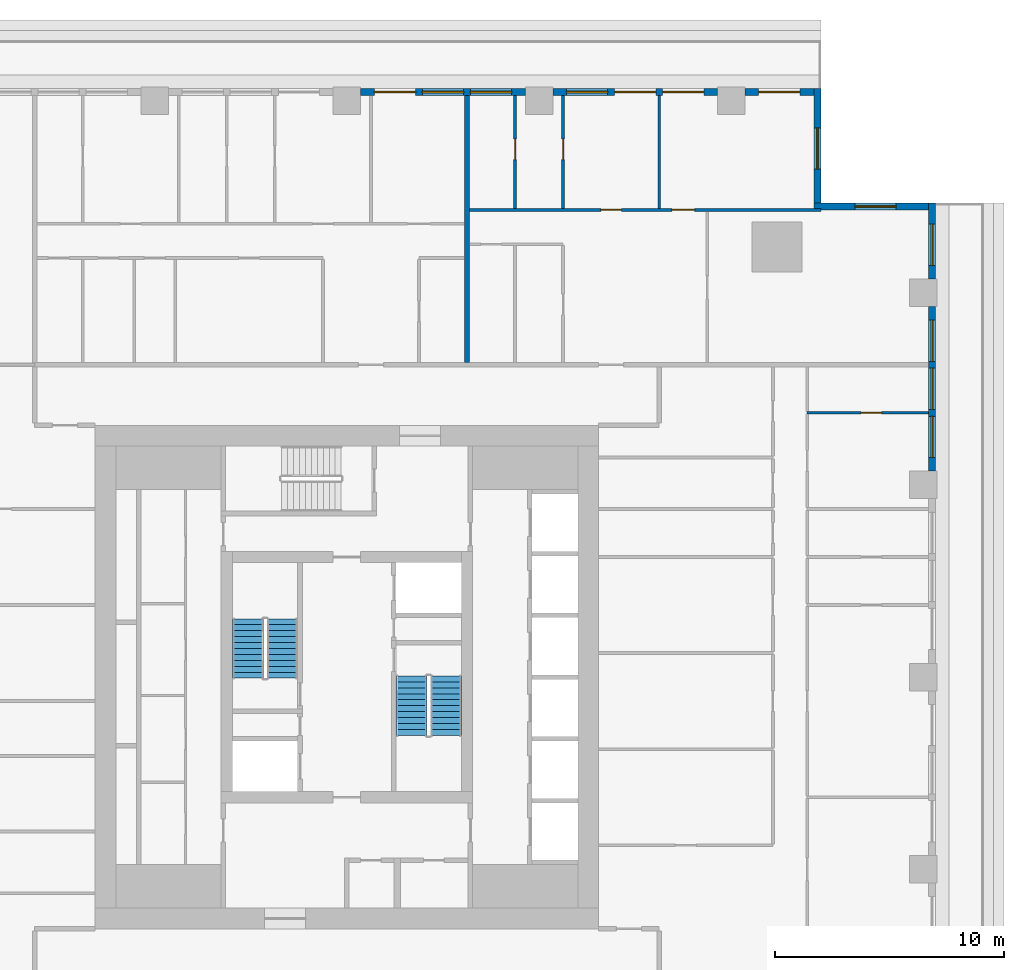
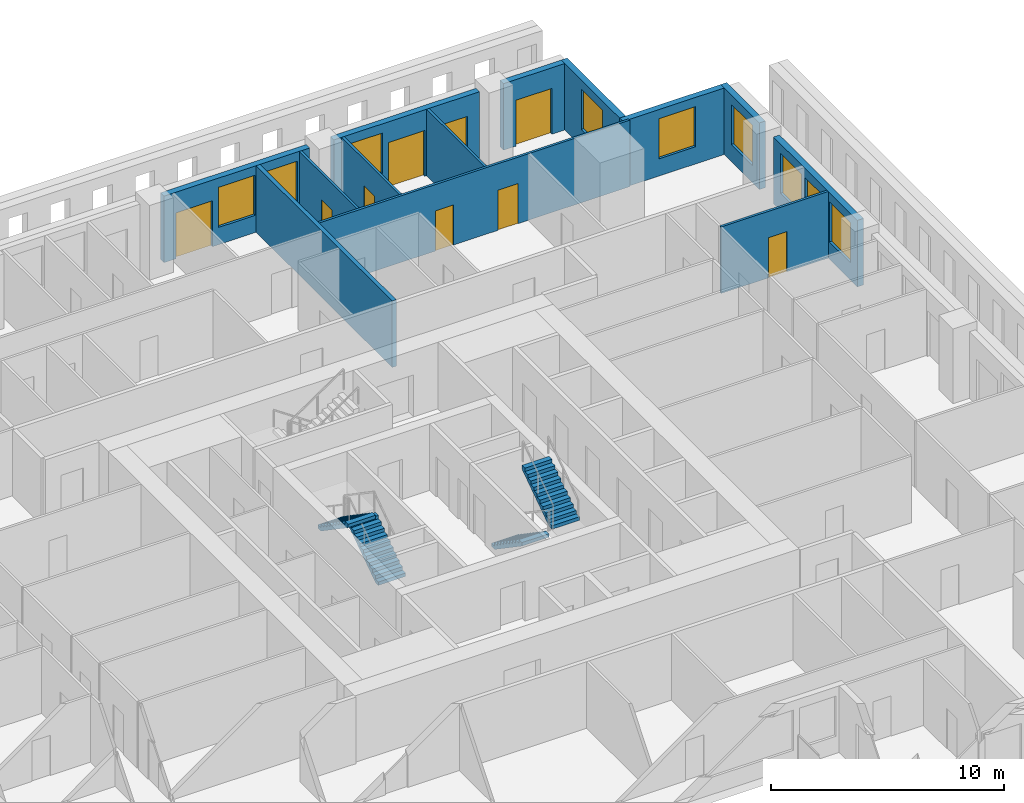
# One storey, part 9 of 15: 13 walls, 9 doors, 9 windows, 4 stair flights, 18 openings, 2 elements without a shape of their own.
"""IFC4 building model written with IfcOpenShell, lengths in metres."""

from ifc_helpers import new_model, si_unit, direction, frame, frame_2d, origin, place, context, subcontext, project, spatial, polyline, rectangle, outline, extrude, material, layer, layer_set, type_object, element, fill, aggregate, save


model = new_model("IFC4")

# Units and contexts
model_context = context("Model", 3, precision=1e-05, world=origin(), true_north=direction((0.0, 1.0)))
body_context = subcontext(model_context, "Body", "Model", "MODEL_VIEW")
ifc_project = project(units=[si_unit("LENGTHUNIT", "METRE"), si_unit("AREAUNIT", "SQUARE_METRE"), si_unit("VOLUMEUNIT", "CUBIC_METRE"), si_unit("PLANEANGLEUNIT", "RADIAN"), si_unit("MASSUNIT", "GRAM", prefix="KILO")], contexts=[model_context])

# Site, building, storey
site_placement = place(None, origin())
site = spatial("IfcSite", under=ifc_project, at=site_placement, CompositionType="ELEMENT")
building_placement = place(site_placement, origin())
building = spatial("IfcBuilding", under=site, at=building_placement, Name="Khepri Terraces", CompositionType="ELEMENT")
storey_placement = place(building_placement, frame((0.0, 0.0, 256.199951171875)))
storey = spatial("IfcBuildingStorey", under=building, at=storey_placement, Name="L61", CompositionType="ELEMENT", Elevation=256.199951171875)

# Wall
ifc_material_1 = material(Name="Fire-rated gypsum plasterboard partition, mineral wool")
ifc_layer_1 = layer(ifc_material_1, 0.199951171875, Name="Fire-rated gypsum plasterboard partition, mineral wool")
ifc_layer_set_1 = layer_set([ifc_layer_1], Name="Fire-rated gypsum plasterboard partition, mineral wool")
wall_type_1 = type_object("IfcWallType", Name="WL-CORR-200", PredefinedType="PARTITIONING", material=ifc_layer_set_1)
wall_1_placement = place(storey_placement, frame((5.25, 13.75, 0.0), z_axis=(0.0, 0.0, 1.0), x_axis=(0.0, 1.0, 0.0)))
element("IfcWall", 1, at=wall_1_placement, inside=storey, type_object=wall_type_1, Name="Partition P-088 L61", PredefinedType="PARTITIONING", context=body_context, shape_type="SweptSolid", body=[
    extrude(rectangle(XDim=11.669921875, YDim=0.199951171875, at=frame_2d((5.8349609375, 0.0))), origin(), (0.0, 0.0, 1.0), 3.47998046875),
])

# Wall, openings, windows
ifc_material_2 = material(Name="Precast concrete C50/60 warm stone", Category="masonry")
ifc_layer_2 = layer(ifc_material_2, 0.300048828125, Name="Precast concrete C50/60 warm stone", Category="masonry")
ifc_layer_set_2 = layer_set([ifc_layer_2], Name="Precast concrete C50/60 warm stone")
wall_type_2 = type_object("IfcWallType", Name="WL-EXT-PRECAST-300", PredefinedType="STANDARD", material=ifc_layer_set_2)
wall_2_placement = place(storey_placement, frame((25.570068359375, 9.0, 0.0), z_axis=(0.0, 0.0, 1.0), x_axis=(0.0, 1.0, 0.0)))
wall_2 = element("IfcWall", 2, at=wall_2_placement, inside=storey, type_object=wall_type_2, Name="External wall L61 E", PredefinedType="STANDARD", context=body_context, shape_type="SweptSolid", body=[
    extrude(rectangle(XDim=7.199951171875, YDim=0.300048828125, at=frame_2d((3.60009765625, 0.0))), origin(), (0.0, 0.0, 1.0), 3.47998046875),
])
opening_1_placement = place(wall_2_placement, frame((0.60009765625, 0.0, 0.89990234375)))
opening_1 = element("IfcOpeningElement", 3, at=opening_1_placement, cuts=wall_2, Name="Opening W1", PredefinedType="OPENING", context=body_context, shape_type="SweptSolid", body=[
    extrude(rectangle(XDim=1.800048828125, YDim=2.10009765625, at=frame_2d((0.89990234375, 1.050048828125))), frame((0.0, 0.16015625, 0.0), z_axis=(0.0, -1.0, 0.0), x_axis=(1.0, 0.0, 0.0)), (0.0, 0.0, 1.0), 0.320068359375),
])
opening_2_placement = place(wall_2_placement, frame((2.699951171875, 0.0, 0.89990234375)))
opening_2 = element("IfcOpeningElement", 4, at=opening_2_placement, cuts=wall_2, Name="Opening W1", PredefinedType="OPENING", context=body_context, shape_type="SweptSolid", body=[
    extrude(rectangle(XDim=1.800048828125, YDim=2.10009765625, at=frame_2d((0.89990234375, 1.050048828125))), frame((0.0, 0.16015625, 0.0), z_axis=(0.0, -1.0, 0.0), x_axis=(1.0, 0.0, 0.0)), (0.0, 0.0, 1.0), 0.320068359375),
])
opening_3_placement = place(wall_2_placement, frame((4.800048828125, 0.0, 0.89990234375)))
opening_3 = element("IfcOpeningElement", 5, at=opening_3_placement, cuts=wall_2, Name="Opening W1", PredefinedType="OPENING", context=body_context, shape_type="SweptSolid", body=[
    extrude(rectangle(XDim=1.800048828125, YDim=2.10009765625, at=frame_2d((0.89990234375, 1.050048828125))), frame((0.0, 0.16015625, 0.0), z_axis=(0.0, -1.0, 0.0), x_axis=(1.0, 0.0, 0.0)), (0.0, 0.0, 1.0), 0.320068359375),
])
ifc_material_3 = material(Name="Clear glass", Category="glass")
window_type = type_object("IfcWindowType", Name="WIN-RES-1800x2100", PartitioningType="SINGLE_PANEL", PredefinedType="WINDOW", material=ifc_material_3)
window_1_placement = place(opening_1_placement, origin())
window_1 = element("IfcWindow", 6, at=window_1_placement, inside=storey, type_object=window_type, Name="Window L61 E", OverallHeight=2.10009765625, OverallWidth=1.800048828125, PartitioningType="SINGLE_PANEL", PredefinedType="WINDOW", context=body_context, shape_type="SweptSolid", body=[
    extrude(rectangle(XDim=1.800048828125, YDim=2.10009765625, at=frame_2d((0.89990234375, 1.050048828125))), frame((0.0, 0.030029296875, 0.0), z_axis=(0.0, -1.0, 0.0), x_axis=(1.0, 0.0, 0.0)), (0.0, 0.0, 1.0), 0.06005859375),
])
fill(opening_1, window_1)
window_2_placement = place(opening_2_placement, origin())
window_2 = element("IfcWindow", 7, at=window_2_placement, inside=storey, type_object=window_type, Name="Window L61 E", OverallHeight=2.10009765625, OverallWidth=1.800048828125, PartitioningType="SINGLE_PANEL", PredefinedType="WINDOW", context=body_context, shape_type="SweptSolid", body=[
    extrude(rectangle(XDim=1.800048828125, YDim=2.10009765625, at=frame_2d((0.89990234375, 1.050048828125))), frame((0.0, 0.030029296875, 0.0), z_axis=(0.0, -1.0, 0.0), x_axis=(1.0, 0.0, 0.0)), (0.0, 0.0, 1.0), 0.06005859375),
])
fill(opening_2, window_2)
window_3_placement = place(opening_3_placement, origin())
window_3 = element("IfcWindow", 8, at=window_3_placement, inside=storey, type_object=window_type, Name="Window L61 E", OverallHeight=2.10009765625, OverallWidth=1.800048828125, PartitioningType="SINGLE_PANEL", PredefinedType="WINDOW", context=body_context, shape_type="SweptSolid", body=[
    extrude(rectangle(XDim=1.800048828125, YDim=2.10009765625, at=frame_2d((0.89990234375, 1.050048828125))), frame((0.0, 0.030029296875, 0.0), z_axis=(0.0, -1.0, 0.0), x_axis=(1.0, 0.0, 0.0)), (0.0, 0.0, 1.0), 0.06005859375),
])
fill(opening_3, window_3)

# Wall, opening, window
wall_3_placement = place(storey_placement, frame((25.570068359375, 17.39990234375, 0.0), z_axis=(0.0, 0.0, 1.0), x_axis=(0.0, 1.0, 0.0)))
wall_3 = element("IfcWall", 9, at=wall_3_placement, inside=storey, type_object=wall_type_2, Name="External wall L61 E", PredefinedType="STANDARD", context=body_context, shape_type="SweptSolid", body=[
    extrude(rectangle(XDim=3.320068359375, YDim=0.300048828125, at=frame_2d((1.66015625, 0.0))), origin(), (0.0, 0.0, 1.0), 3.47998046875),
])
opening_4_placement = place(wall_3_placement, frame((0.60009765625, 0.0, 0.89990234375)))
opening_4 = element("IfcOpeningElement", 10, at=opening_4_placement, cuts=wall_3, Name="Opening W1", PredefinedType="OPENING", context=body_context, shape_type="SweptSolid", body=[
    extrude(rectangle(XDim=1.800048828125, YDim=2.10009765625, at=frame_2d((0.89990234375, 1.050048828125))), frame((0.0, 0.16015625, 0.0), z_axis=(0.0, -1.0, 0.0), x_axis=(1.0, 0.0, 0.0)), (0.0, 0.0, 1.0), 0.320068359375),
])
window_4_placement = place(opening_4_placement, origin())
window_4 = element("IfcWindow", 11, at=window_4_placement, inside=storey, type_object=window_type, Name="Window L61 E", OverallHeight=2.10009765625, OverallWidth=1.800048828125, PartitioningType="SINGLE_PANEL", PredefinedType="WINDOW", context=body_context, shape_type="SweptSolid", body=[
    extrude(rectangle(XDim=1.800048828125, YDim=2.10009765625, at=frame_2d((0.89990234375, 1.050048828125))), frame((0.0, 0.030029296875, 0.0), z_axis=(0.0, -1.0, 0.0), x_axis=(1.0, 0.0, 0.0)), (0.0, 0.0, 1.0), 0.06005859375),
])
fill(opening_4, window_4)

wall_4_placement = place(storey_placement, frame((25.419921875, 20.570068359375, 0.0), z_axis=(0.0, 0.0, 1.0), x_axis=(-1.0, 0.0, 0.0)))
wall_4 = element("IfcWall", 12, at=wall_4_placement, inside=storey, type_object=wall_type_2, Name="External wall L61 N", PredefinedType="STANDARD", context=body_context, shape_type="SweptSolid", body=[
    extrude(rectangle(XDim=5.0, YDim=0.300048828125, at=frame_2d((2.5, 0.0))), origin(), (0.0, 0.0, 1.0), 3.47998046875),
])
opening_5_placement = place(wall_4_placement, frame((1.419921875, 0.0, 0.89990234375)))
opening_5 = element("IfcOpeningElement", 13, at=opening_5_placement, cuts=wall_4, Name="Opening W1", PredefinedType="OPENING", context=body_context, shape_type="SweptSolid", body=[
    extrude(rectangle(XDim=1.800048828125, YDim=2.10009765625, at=frame_2d((0.89990234375, 1.050048828125))), frame((0.0, 0.16015625, 0.0), z_axis=(0.0, -1.0, 0.0), x_axis=(1.0, 0.0, 0.0)), (0.0, 0.0, 1.0), 0.320068359375),
])
window_5_placement = place(opening_5_placement, origin())
window_5 = element("IfcWindow", 14, at=window_5_placement, inside=storey, type_object=window_type, Name="Window L61 N", OverallHeight=2.10009765625, OverallWidth=1.800048828125, PartitioningType="SINGLE_PANEL", PredefinedType="WINDOW", context=body_context, shape_type="SweptSolid", body=[
    extrude(rectangle(XDim=1.800048828125, YDim=2.10009765625, at=frame_2d((0.89990234375, 1.050048828125))), frame((0.0, 0.030029296875, 0.0), z_axis=(0.0, -1.0, 0.0), x_axis=(1.0, 0.0, 0.0)), (0.0, 0.0, 1.0), 0.06005859375),
])
fill(opening_5, window_5)

wall_5_placement = place(storey_placement, frame((20.570068359375, 20.719970703125, 0.0), z_axis=(0.0, 0.0, 1.0), x_axis=(0.0, 1.0, 0.0)))
wall_5 = element("IfcWall", 15, at=wall_5_placement, inside=storey, type_object=wall_type_2, Name="External wall L61 E", PredefinedType="STANDARD", context=body_context, shape_type="SweptSolid", body=[
    extrude(rectangle(XDim=5.0, YDim=0.300048828125, at=frame_2d((2.5, 0.0))), origin(), (0.0, 0.0, 1.0), 3.47998046875),
])
opening_6_placement = place(wall_5_placement, frame((1.47998046875, 0.0, 0.89990234375)))
opening_6 = element("IfcOpeningElement", 16, at=opening_6_placement, cuts=wall_5, Name="Opening W1", PredefinedType="OPENING", context=body_context, shape_type="SweptSolid", body=[
    extrude(rectangle(XDim=1.800048828125, YDim=2.10009765625, at=frame_2d((0.89990234375, 1.050048828125))), frame((0.0, 0.16015625, 0.0), z_axis=(0.0, -1.0, 0.0), x_axis=(1.0, 0.0, 0.0)), (0.0, 0.0, 1.0), 0.320068359375),
])
window_6_placement = place(opening_6_placement, origin())
window_6 = element("IfcWindow", 17, at=window_6_placement, inside=storey, type_object=window_type, Name="Window L61 E", OverallHeight=2.10009765625, OverallWidth=1.800048828125, PartitioningType="SINGLE_PANEL", PredefinedType="WINDOW", context=body_context, shape_type="SweptSolid", body=[
    extrude(rectangle(XDim=1.800048828125, YDim=2.10009765625, at=frame_2d((0.89990234375, 1.050048828125))), frame((0.0, 0.030029296875, 0.0), z_axis=(0.0, -1.0, 0.0), x_axis=(1.0, 0.0, 0.0)), (0.0, 0.0, 1.0), 0.06005859375),
])
fill(opening_6, window_6)

# Wall, opening, door
wall_6_placement = place(storey_placement, frame((20.419921875, 25.570068359375, 0.0), z_axis=(0.0, 0.0, 1.0), x_axis=(-1.0, 0.0, 0.0)))
wall_6 = element("IfcWall", 18, at=wall_6_placement, inside=storey, type_object=wall_type_2, Name="External wall L61 N", PredefinedType="STANDARD", context=body_context, shape_type="SweptSolid", body=[
    extrude(rectangle(XDim=3.02001953125, YDim=0.300048828125, at=frame_2d((1.510009765625, 0.0))), origin(), (0.0, 0.0, 1.0), 3.47998046875),
])
opening_7_placement = place(wall_6_placement, frame((0.6201171875, 0.0, 0.0)))
opening_7 = element("IfcOpeningElement", 19, at=opening_7_placement, cuts=wall_6, Name="Opening ED-L61-07", PredefinedType="OPENING", context=body_context, shape_type="SweptSolid", body=[
    extrude(rectangle(XDim=1.800048828125, YDim=2.39990234375, at=frame_2d((0.89990234375, 1.199951171875))), frame((0.0, 0.16015625, 0.0), z_axis=(0.0, -1.0, 0.0), x_axis=(1.0, 0.0, 0.0)), (0.0, 0.0, 1.0), 0.320068359375),
])
ifc_material_4 = material(Name="Anodised aluminium bronze glazed door", Category="aluminium")
door_type_1 = type_object("IfcDoorType", Name="DR-BAL-SLIDE-1800x2400", OperationType="NOTDEFINED", PredefinedType="DOOR", material=ifc_material_4)
door_1_placement = place(opening_7_placement, origin())
door_1 = element("IfcDoor", 20, at=door_1_placement, inside=storey, type_object=door_type_1, Name="Balcony door L61 N", OperationType="SLIDING_TO_RIGHT", OverallHeight=2.39990234375, OverallWidth=1.800048828125, PredefinedType="DOOR", context=body_context, shape_type="SweptSolid", body=[
    extrude(rectangle(XDim=1.800048828125, YDim=2.39990234375, at=frame_2d((0.89990234375, 1.199951171875))), frame((0.0, 0.02490234375, 0.0), z_axis=(0.0, -1.0, 0.0), x_axis=(1.0, 0.0, 0.0)), (0.0, 0.0, 1.0), 0.050048828125),
])
fill(opening_7, door_1)

# Wall, openings, doors, window
wall_7_placement = place(storey_placement, frame((16.199951171875, 25.570068359375, 0.0), z_axis=(0.0, 0.0, 1.0), x_axis=(-1.0, 0.0, 0.0)))
wall_7 = element("IfcWall", 21, at=wall_7_placement, inside=storey, type_object=wall_type_2, Name="External wall L61 N", PredefinedType="STANDARD", context=body_context, shape_type="SweptSolid", body=[
    extrude(rectangle(XDim=7.199951171875, YDim=0.300048828125, at=frame_2d((3.60009765625, 0.0))), origin(), (0.0, 0.0, 1.0), 3.47998046875),
])
opening_8_placement = place(wall_7_placement, frame((0.60009765625, 0.0, 0.0)))
opening_8 = element("IfcOpeningElement", 22, at=opening_8_placement, cuts=wall_7, Name="Opening ED-L61-08", PredefinedType="OPENING", context=body_context, shape_type="SweptSolid", body=[
    extrude(rectangle(XDim=1.800048828125, YDim=2.39990234375, at=frame_2d((0.89990234375, 1.199951171875))), frame((0.0, 0.16015625, 0.0), z_axis=(0.0, -1.0, 0.0), x_axis=(1.0, 0.0, 0.0)), (0.0, 0.0, 1.0), 0.320068359375),
])
opening_9_placement = place(wall_7_placement, frame((2.699951171875, 0.0, 0.0)))
opening_9 = element("IfcOpeningElement", 23, at=opening_9_placement, cuts=wall_7, Name="Opening ED-L61-09", PredefinedType="OPENING", context=body_context, shape_type="SweptSolid", body=[
    extrude(rectangle(XDim=1.800048828125, YDim=2.39990234375, at=frame_2d((0.89990234375, 1.199951171875))), frame((0.0, 0.16015625, 0.0), z_axis=(0.0, -1.0, 0.0), x_axis=(1.0, 0.0, 0.0)), (0.0, 0.0, 1.0), 0.320068359375),
])
opening_10_placement = place(wall_7_placement, frame((4.800048828125, 0.0, 0.89990234375)))
opening_10 = element("IfcOpeningElement", 24, at=opening_10_placement, cuts=wall_7, Name="Opening W1", PredefinedType="OPENING", context=body_context, shape_type="SweptSolid", body=[
    extrude(rectangle(XDim=1.800048828125, YDim=2.10009765625, at=frame_2d((0.89990234375, 1.050048828125))), frame((0.0, 0.16015625, 0.0), z_axis=(0.0, -1.0, 0.0), x_axis=(1.0, 0.0, 0.0)), (0.0, 0.0, 1.0), 0.320068359375),
])
door_2_placement = place(opening_8_placement, origin())
door_2 = element("IfcDoor", 25, at=door_2_placement, inside=storey, type_object=door_type_1, Name="Balcony door L61 N", OperationType="SLIDING_TO_LEFT", OverallHeight=2.39990234375, OverallWidth=1.800048828125, PredefinedType="DOOR", context=body_context, shape_type="SweptSolid", body=[
    extrude(rectangle(XDim=1.800048828125, YDim=2.39990234375, at=frame_2d((0.89990234375, 1.199951171875))), frame((0.0, 0.02490234375, 0.0), z_axis=(0.0, -1.0, 0.0), x_axis=(1.0, 0.0, 0.0)), (0.0, 0.0, 1.0), 0.050048828125),
])
fill(opening_8, door_2)
door_3_placement = place(opening_9_placement, origin())
door_3 = element("IfcDoor", 26, at=door_3_placement, inside=storey, type_object=door_type_1, Name="Balcony door L61 N", OperationType="SLIDING_TO_RIGHT", OverallHeight=2.39990234375, OverallWidth=1.800048828125, PredefinedType="DOOR", context=body_context, shape_type="SweptSolid", body=[
    extrude(rectangle(XDim=1.800048828125, YDim=2.39990234375, at=frame_2d((0.89990234375, 1.199951171875))), frame((0.0, 0.02490234375, 0.0), z_axis=(0.0, -1.0, 0.0), x_axis=(1.0, 0.0, 0.0)), (0.0, 0.0, 1.0), 0.050048828125),
])
fill(opening_9, door_3)
window_7_placement = place(opening_10_placement, origin())
window_7 = element("IfcWindow", 27, at=window_7_placement, inside=storey, type_object=window_type, Name="Window L61 N", OverallHeight=2.10009765625, OverallWidth=1.800048828125, PartitioningType="SINGLE_PANEL", PredefinedType="WINDOW", context=body_context, shape_type="SweptSolid", body=[
    extrude(rectangle(XDim=1.800048828125, YDim=2.10009765625, at=frame_2d((0.89990234375, 1.050048828125))), frame((0.0, 0.030029296875, 0.0), z_axis=(0.0, -1.0, 0.0), x_axis=(1.0, 0.0, 0.0)), (0.0, 0.0, 1.0), 0.06005859375),
])
fill(opening_10, window_7)

# Wall, openings, door, windows
wall_8_placement = place(storey_placement, frame((7.800048828125, 25.570068359375, 0.0), z_axis=(0.0, 0.0, 1.0), x_axis=(-1.0, 0.0, 0.0)))
wall_8 = element("IfcWall", 28, at=wall_8_placement, inside=storey, type_object=wall_type_2, Name="External wall L61 N", PredefinedType="STANDARD", context=body_context, shape_type="SweptSolid", body=[
    extrude(rectangle(XDim=7.199951171875, YDim=0.300048828125, at=frame_2d((3.60009765625, 0.0))), origin(), (0.0, 0.0, 1.0), 3.47998046875),
])
opening_11_placement = place(wall_8_placement, frame((0.60009765625, 0.0, 0.89990234375)))
opening_11 = element("IfcOpeningElement", 29, at=opening_11_placement, cuts=wall_8, Name="Opening W1", PredefinedType="OPENING", context=body_context, shape_type="SweptSolid", body=[
    extrude(rectangle(XDim=1.800048828125, YDim=2.10009765625, at=frame_2d((0.89990234375, 1.050048828125))), frame((0.0, 0.16015625, 0.0), z_axis=(0.0, -1.0, 0.0), x_axis=(1.0, 0.0, 0.0)), (0.0, 0.0, 1.0), 0.320068359375),
])
opening_12_placement = place(wall_8_placement, frame((2.699951171875, 0.0, 0.89990234375)))
opening_12 = element("IfcOpeningElement", 30, at=opening_12_placement, cuts=wall_8, Name="Opening W1", PredefinedType="OPENING", context=body_context, shape_type="SweptSolid", body=[
    extrude(rectangle(XDim=1.800048828125, YDim=2.10009765625, at=frame_2d((0.89990234375, 1.050048828125))), frame((0.0, 0.16015625, 0.0), z_axis=(0.0, -1.0, 0.0), x_axis=(1.0, 0.0, 0.0)), (0.0, 0.0, 1.0), 0.320068359375),
])
opening_13_placement = place(wall_8_placement, frame((4.800048828125, 0.0, 0.0)))
opening_13 = element("IfcOpeningElement", 31, at=opening_13_placement, cuts=wall_8, Name="Opening ED-L61-10", PredefinedType="OPENING", context=body_context, shape_type="SweptSolid", body=[
    extrude(rectangle(XDim=1.800048828125, YDim=2.39990234375, at=frame_2d((0.89990234375, 1.199951171875))), frame((0.0, 0.16015625, 0.0), z_axis=(0.0, -1.0, 0.0), x_axis=(1.0, 0.0, 0.0)), (0.0, 0.0, 1.0), 0.320068359375),
])
door_4_placement = place(opening_13_placement, origin())
door_4 = element("IfcDoor", 32, at=door_4_placement, inside=storey, type_object=door_type_1, Name="Balcony door L61 N", OperationType="SLIDING_TO_RIGHT", OverallHeight=2.39990234375, OverallWidth=1.800048828125, PredefinedType="DOOR", context=body_context, shape_type="SweptSolid", body=[
    extrude(rectangle(XDim=1.800048828125, YDim=2.39990234375, at=frame_2d((0.89990234375, 1.199951171875))), frame((0.0, 0.02490234375, 0.0), z_axis=(0.0, -1.0, 0.0), x_axis=(1.0, 0.0, 0.0)), (0.0, 0.0, 1.0), 0.050048828125),
])
fill(opening_13, door_4)
window_8_placement = place(opening_11_placement, origin())
window_8 = element("IfcWindow", 33, at=window_8_placement, inside=storey, type_object=window_type, Name="Window L61 N", OverallHeight=2.10009765625, OverallWidth=1.800048828125, PartitioningType="SINGLE_PANEL", PredefinedType="WINDOW", context=body_context, shape_type="SweptSolid", body=[
    extrude(rectangle(XDim=1.800048828125, YDim=2.10009765625, at=frame_2d((0.89990234375, 1.050048828125))), frame((0.0, 0.030029296875, 0.0), z_axis=(0.0, -1.0, 0.0), x_axis=(1.0, 0.0, 0.0)), (0.0, 0.0, 1.0), 0.06005859375),
])
fill(opening_11, window_8)
window_9_placement = place(opening_12_placement, origin())
window_9 = element("IfcWindow", 34, at=window_9_placement, inside=storey, type_object=window_type, Name="Window L61 N", OverallHeight=2.10009765625, OverallWidth=1.800048828125, PartitioningType="SINGLE_PANEL", PredefinedType="WINDOW", context=body_context, shape_type="SweptSolid", body=[
    extrude(rectangle(XDim=1.800048828125, YDim=2.10009765625, at=frame_2d((0.89990234375, 1.050048828125))), frame((0.0, 0.030029296875, 0.0), z_axis=(0.0, -1.0, 0.0), x_axis=(1.0, 0.0, 0.0)), (0.0, 0.0, 1.0), 0.06005859375),
])
fill(opening_12, window_9)

# Wall, opening, door
ifc_material_5 = material(Name="Gypsum plasterboard partition")
ifc_layer_3 = layer(ifc_material_5, 0.1201171875, Name="Gypsum plasterboard partition")
ifc_layer_set_3 = layer_set([ifc_layer_3], Name="Gypsum plasterboard partition")
wall_type_3 = type_object("IfcWallType", Name="WL-PART-120", PredefinedType="PARTITIONING", material=ifc_layer_set_3)
wall_9_placement = place(storey_placement, frame((20.1201171875, 11.550048828125, 0.0), z_axis=(0.0, 0.0, 1.0), x_axis=(1.0, 0.0, 0.0)))
wall_9 = element("IfcWall", 35, at=wall_9_placement, inside=storey, type_object=wall_type_3, Name="Partition P-076 L61", PredefinedType="PARTITIONING", context=body_context, shape_type="SweptSolid", body=[
    extrude(rectangle(XDim=5.2998046875, YDim=0.1201171875, at=frame_2d((2.64990234375, 0.0))), origin(), (0.0, 0.0, 1.0), 3.47998046875),
])
opening_14_placement = place(wall_9_placement, frame((2.35009765625, 0.0, 0.0)))
opening_14 = element("IfcOpeningElement", 36, at=opening_14_placement, cuts=wall_9, Name="Opening D4", PredefinedType="OPENING", context=body_context, shape_type="SweptSolid", body=[
    extrude(rectangle(XDim=0.89990234375, YDim=2.10009765625, at=frame_2d((0.449951171875, 1.050048828125))), frame((0.0, 0.070068359375, 0.0), z_axis=(0.0, -1.0, 0.0), x_axis=(1.0, 0.0, 0.0)), (0.0, 0.0, 1.0), 0.14013671875),
])
ifc_material_6 = material(Name="Timber door leaf, moisture resistant", Category="wood")
door_type_2 = type_object("IfcDoorType", Name="DR-WET-900", OperationType="NOTDEFINED", PredefinedType="DOOR", material=ifc_material_6)
door_5_placement = place(opening_14_placement, origin())
door_5 = element("IfcDoor", 37, at=door_5_placement, inside=storey, type_object=door_type_2, Name="Door Bathroom", OperationType="SINGLE_SWING_RIGHT", OverallHeight=2.10009765625, OverallWidth=0.89990234375, PredefinedType="DOOR", context=body_context, shape_type="SweptSolid", body=[
    extrude(rectangle(XDim=0.89990234375, YDim=2.10009765625, at=frame_2d((0.449951171875, 1.050048828125))), frame((0.0, 0.02490234375, 0.0), z_axis=(0.0, -1.0, 0.0), x_axis=(1.0, 0.0, 0.0)), (0.0, 0.0, 1.0), 0.050048828125),
])
fill(opening_14, door_5)

# Wall, openings, doors
wall_10_placement = place(storey_placement, frame((5.35009765625, 20.419921875, 0.0), z_axis=(0.0, 0.0, 1.0), x_axis=(1.0, 0.0, 0.0)))
wall_10 = element("IfcWall", 38, at=wall_10_placement, inside=storey, type_object=wall_type_3, Name="Partition P-101 L61", PredefinedType="PARTITIONING", context=body_context, shape_type="SweptSolid", body=[
    extrude(rectangle(XDim=15.368896484375, YDim=0.1201171875, at=frame_2d((7.6845703125, 0.0))), origin(), (0.0, 0.0, 1.0), 3.47998046875),
])
opening_15_placement = place(wall_10_placement, frame((8.85009765625, 0.0, 0.0)))
opening_15 = element("IfcOpeningElement", 39, at=opening_15_placement, cuts=wall_10, Name="Opening D2", PredefinedType="OPENING", context=body_context, shape_type="SweptSolid", body=[
    extrude(rectangle(XDim=1.0, YDim=2.10009765625, at=frame_2d((0.5, 1.050048828125))), frame((0.0, 0.070068359375, 0.0), z_axis=(0.0, -1.0, 0.0), x_axis=(1.0, 0.0, 0.0)), (0.0, 0.0, 1.0), 0.14013671875),
])
opening_16_placement = place(wall_10_placement, frame((5.75, 0.0, 0.0)))
opening_16 = element("IfcOpeningElement", 40, at=opening_16_placement, cuts=wall_10, Name="Opening D3", PredefinedType="OPENING", context=body_context, shape_type="SweptSolid", body=[
    extrude(rectangle(XDim=0.89990234375, YDim=2.10009765625, at=frame_2d((0.449951171875, 1.050048828125))), frame((0.0, 0.070068359375, 0.0), z_axis=(0.0, -1.0, 0.0), x_axis=(1.0, 0.0, 0.0)), (0.0, 0.0, 1.0), 0.14013671875),
])
ifc_material_7 = material(Name="Timber door leaf, living room door", Category="wood")
door_type_3 = type_object("IfcDoorType", Name="DR-INT-1000", OperationType="NOTDEFINED", PredefinedType="DOOR", material=ifc_material_7)
door_6_placement = place(opening_15_placement, origin())
door_6 = element("IfcDoor", 41, at=door_6_placement, inside=storey, type_object=door_type_3, Name="Door Living Room", OperationType="SINGLE_SWING_RIGHT", OverallHeight=2.10009765625, OverallWidth=1.0, PredefinedType="DOOR", context=body_context, shape_type="SweptSolid", body=[
    extrude(rectangle(XDim=1.0, YDim=2.10009765625, at=frame_2d((0.5, 1.050048828125))), frame((0.0, 0.02490234375, 0.0), z_axis=(0.0, -1.0, 0.0), x_axis=(1.0, 0.0, 0.0)), (0.0, 0.0, 1.0), 0.050048828125),
])
fill(opening_15, door_6)
ifc_material_8 = material(Name="Timber door leaf", Category="wood")
door_type_4 = type_object("IfcDoorType", Name="DR-INT-900", OperationType="NOTDEFINED", PredefinedType="DOOR", material=ifc_material_8)
door_7_placement = place(opening_16_placement, origin())
door_7 = element("IfcDoor", 42, at=door_7_placement, inside=storey, type_object=door_type_4, Name="Door Master Bedroom", OperationType="SINGLE_SWING_LEFT", OverallHeight=2.10009765625, OverallWidth=0.89990234375, PredefinedType="DOOR", context=body_context, shape_type="SweptSolid", body=[
    extrude(rectangle(XDim=0.89990234375, YDim=2.10009765625, at=frame_2d((0.449951171875, 1.050048828125))), frame((0.0, 0.02490234375, 0.0), z_axis=(0.0, -1.0, 0.0), x_axis=(1.0, 0.0, 0.0)), (0.0, 0.0, 1.0), 0.050048828125),
])
fill(opening_16, door_7)

# Wall, opening, door
wall_11_placement = place(storey_placement, frame((7.35009765625, 20.47998046875, 0.0), z_axis=(0.0, 0.0, 1.0), x_axis=(0.0, 1.0, 0.0)))
wall_11 = element("IfcWall", 43, at=wall_11_placement, inside=storey, type_object=wall_type_3, Name="Partition P-102 L61", PredefinedType="PARTITIONING", context=body_context, shape_type="SweptSolid", body=[
    extrude(rectangle(XDim=4.93994140625, YDim=0.1201171875, at=frame_2d((2.469970703125, 0.0))), origin(), (0.0, 0.0, 1.0), 3.47998046875),
])
opening_17_placement = place(wall_11_placement, frame((2.139892578125, 0.0, 0.0)))
opening_17 = element("IfcOpeningElement", 44, at=opening_17_placement, cuts=wall_11, Name="Opening D4", PredefinedType="OPENING", context=body_context, shape_type="SweptSolid", body=[
    extrude(rectangle(XDim=0.89990234375, YDim=2.10009765625, at=frame_2d((0.449951171875, 1.050048828125))), frame((0.0, 0.070068359375, 0.0), z_axis=(0.0, -1.0, 0.0), x_axis=(1.0, 0.0, 0.0)), (0.0, 0.0, 1.0), 0.14013671875),
])
door_8_placement = place(opening_17_placement, origin())
door_8 = element("IfcDoor", 45, at=door_8_placement, inside=storey, type_object=door_type_2, Name="Door Bathroom", OperationType="SINGLE_SWING_RIGHT", OverallHeight=2.10009765625, OverallWidth=0.89990234375, PredefinedType="DOOR", context=body_context, shape_type="SweptSolid", body=[
    extrude(rectangle(XDim=0.89990234375, YDim=2.10009765625, at=frame_2d((0.449951171875, 1.050048828125))), frame((0.0, 0.02490234375, 0.0), z_axis=(0.0, -1.0, 0.0), x_axis=(1.0, 0.0, 0.0)), (0.0, 0.0, 1.0), 0.050048828125),
])
fill(opening_17, door_8)

wall_12_placement = place(storey_placement, frame((9.449951171875, 20.47998046875, 0.0), z_axis=(0.0, 0.0, 1.0), x_axis=(0.0, 1.0, 0.0)))
wall_12 = element("IfcWall", 46, at=wall_12_placement, inside=storey, type_object=wall_type_3, Name="Partition P-103 L61", PredefinedType="PARTITIONING", context=body_context, shape_type="SweptSolid", body=[
    extrude(rectangle(XDim=4.93994140625, YDim=0.1201171875, at=frame_2d((2.469970703125, 0.0))), origin(), (0.0, 0.0, 1.0), 3.47998046875),
])
opening_18_placement = place(wall_12_placement, frame((2.139892578125, 0.0, 0.0)))
opening_18 = element("IfcOpeningElement", 47, at=opening_18_placement, cuts=wall_12, Name="Opening D3", PredefinedType="OPENING", context=body_context, shape_type="SweptSolid", body=[
    extrude(rectangle(XDim=0.89990234375, YDim=2.10009765625, at=frame_2d((0.449951171875, 1.050048828125))), frame((0.0, 0.070068359375, 0.0), z_axis=(0.0, -1.0, 0.0), x_axis=(1.0, 0.0, 0.0)), (0.0, 0.0, 1.0), 0.14013671875),
])
door_9_placement = place(opening_18_placement, origin())
door_9 = element("IfcDoor", 48, at=door_9_placement, inside=storey, type_object=door_type_4, Name="Door Dressing Room", OperationType="SINGLE_SWING_RIGHT", OverallHeight=2.10009765625, OverallWidth=0.89990234375, PredefinedType="DOOR", context=body_context, shape_type="SweptSolid", body=[
    extrude(rectangle(XDim=0.89990234375, YDim=2.10009765625, at=frame_2d((0.449951171875, 1.050048828125))), frame((0.0, 0.02490234375, 0.0), z_axis=(0.0, -1.0, 0.0), x_axis=(1.0, 0.0, 0.0)), (0.0, 0.0, 1.0), 0.050048828125),
])
fill(opening_18, door_9)

# Wall
wall_13_placement = place(storey_placement, frame((13.64990234375, 20.47998046875, 0.0), z_axis=(0.0, 0.0, 1.0), x_axis=(0.0, 1.0, 0.0)))
element("IfcWall", 49, at=wall_13_placement, inside=storey, type_object=wall_type_3, Name="Partition P-104 L61", PredefinedType="PARTITIONING", context=body_context, shape_type="SweptSolid", body=[
    extrude(rectangle(XDim=4.93994140625, YDim=0.1201171875, at=frame_2d((2.469970703125, 0.0))), origin(), (0.0, 0.0, 1.0), 3.47998046875),
])

# Stair, stair flights
ifc_material_9 = material(Name="Concrete C40/50", Category="concrete")
stair_type = type_object("IfcStairType", Name="STAIR-RC-22R", PredefinedType="HALF_TURN_STAIR", material=ifc_material_9)
stair_1_placement = place(storey_placement, origin())
stair_1 = element("IfcStair", 50, at=stair_1_placement, inside=storey, type_object=stair_type, Name="L61 Exit Stair ST-1", PredefinedType="HALF_TURN_STAIR")
stair_flight_type = type_object("IfcStairFlightType", Name="SFL-RC-177.3", PredefinedType="STRAIGHT", material=ifc_material_9)
stair_flight_1_placement = place(storey_placement, frame((-2.824951171875, -0.050048828125, 0.0), z_axis=(0.0, 0.0, 1.0), x_axis=(0.0, 1.0, 0.0)))
stair_flight_1 = element("IfcStairFlight", 51, at=stair_flight_1_placement, type_object=stair_flight_type, Name="ST-1 flight 1", NumberOfRisers=11, NumberOfTreads=10, PredefinedType="STRAIGHT", RiserHeight=0.177272727, TreadLength=0.26, context=body_context, shape_type="SweptSolid", body=[
    extrude(outline(polyline([(0.0, 0.0), (0.0, 0.17724609375), (0.260009765625, 0.17724609375), (0.260009765625, 0.3544921875), (0.52001953125, 0.3544921875), (0.52001953125, 0.53173828125), (0.780029296875, 0.53173828125), (0.780029296875, 0.708984375), (1.0400390625, 0.708984375), (1.0400390625, 0.886474609375), (1.300048828125, 0.886474609375), (1.300048828125, 1.063720703125), (1.56005859375, 1.063720703125), (1.56005859375, 1.240966796875), (1.820068359375, 1.240966796875), (1.820068359375, 1.418212890625), (2.080078125, 1.418212890625), (2.080078125, 1.595458984375), (2.340087890625, 1.595458984375), (2.340087890625, 1.772705078125), (2.60009765625, 1.772705078125), (2.60009765625, 1.949951171875), (2.60009765625, 1.59130859375), (0.26611328125, 0.0), (0.0, 0.0)])), frame((0.0, 0.675048828125, 0.0), z_axis=(0.0, -1.0, 0.0), x_axis=(1.0, 0.0, 0.0)), (0.0, 0.0, 1.0), 1.35009765625),
])
stair_flight_2_placement = place(storey_placement, frame((-4.324951171875, 2.550048828125, 1.949951171875), z_axis=(0.0, 0.0, 1.0), x_axis=(0.0, -1.0, 0.0)))
stair_flight_2 = element("IfcStairFlight", 52, at=stair_flight_2_placement, type_object=stair_flight_type, Name="ST-1 flight 2", NumberOfRisers=11, NumberOfTreads=10, PredefinedType="STRAIGHT", RiserHeight=0.177272727, TreadLength=0.26, context=body_context, shape_type="SweptSolid", body=[
    extrude(outline(polyline([(0.0, 0.0), (0.0, 0.17724609375), (0.260009765625, 0.17724609375), (0.260009765625, 0.3544921875), (0.52001953125, 0.3544921875), (0.52001953125, 0.53173828125), (0.780029296875, 0.53173828125), (0.780029296875, 0.708984375), (1.0400390625, 0.708984375), (1.0400390625, 0.886474609375), (1.300048828125, 0.886474609375), (1.300048828125, 1.063720703125), (1.56005859375, 1.063720703125), (1.56005859375, 1.240966796875), (1.820068359375, 1.240966796875), (1.820068359375, 1.418212890625), (2.080078125, 1.418212890625), (2.080078125, 1.595458984375), (2.340087890625, 1.595458984375), (2.340087890625, 1.772705078125), (2.60009765625, 1.772705078125), (2.60009765625, 1.949951171875), (2.60009765625, 1.59130859375), (0.26611328125, 0.0), (0.0, 0.0)])), frame((0.0, 0.675048828125, 0.0), z_axis=(0.0, -1.0, 0.0), x_axis=(1.0, 0.0, 0.0)), (0.0, 0.0, 1.0), 1.35009765625),
])
aggregate(stair_1, [stair_flight_1, stair_flight_2])

stair_2_placement = place(storey_placement, origin())
stair_2 = element("IfcStair", 53, at=stair_2_placement, inside=storey, type_object=stair_type, Name="L61 Exit Stair ST-2", PredefinedType="HALF_TURN_STAIR")
stair_flight_3_placement = place(storey_placement, frame((2.824951171875, 0.050048828125, 0.0), z_axis=(0.0, 0.0, 1.0), x_axis=(0.0, -1.0, 0.0)))
stair_flight_3 = element("IfcStairFlight", 54, at=stair_flight_3_placement, type_object=stair_flight_type, Name="ST-2 flight 1", NumberOfRisers=11, NumberOfTreads=10, PredefinedType="STRAIGHT", RiserHeight=0.177272727, TreadLength=0.26, context=body_context, shape_type="SweptSolid", body=[
    extrude(outline(polyline([(0.0, 0.0), (0.0, 0.17724609375), (0.260009765625, 0.17724609375), (0.260009765625, 0.3544921875), (0.52001953125, 0.3544921875), (0.52001953125, 0.53173828125), (0.780029296875, 0.53173828125), (0.780029296875, 0.708984375), (1.0400390625, 0.708984375), (1.0400390625, 0.886474609375), (1.300048828125, 0.886474609375), (1.300048828125, 1.063720703125), (1.56005859375, 1.063720703125), (1.56005859375, 1.240966796875), (1.820068359375, 1.240966796875), (1.820068359375, 1.418212890625), (2.080078125, 1.418212890625), (2.080078125, 1.595458984375), (2.340087890625, 1.595458984375), (2.340087890625, 1.772705078125), (2.60009765625, 1.772705078125), (2.60009765625, 1.949951171875), (2.60009765625, 1.59130859375), (0.26611328125, 0.0), (0.0, 0.0)])), frame((0.0, 0.675048828125, 0.0), z_axis=(0.0, -1.0, 0.0), x_axis=(1.0, 0.0, 0.0)), (0.0, 0.0, 1.0), 1.35009765625),
])
stair_flight_4_placement = place(storey_placement, frame((4.324951171875, -2.550048828125, 1.949951171875), z_axis=(0.0, 0.0, 1.0), x_axis=(0.0, 1.0, 0.0)))
stair_flight_4 = element("IfcStairFlight", 55, at=stair_flight_4_placement, type_object=stair_flight_type, Name="ST-2 flight 2", NumberOfRisers=11, NumberOfTreads=10, PredefinedType="STRAIGHT", RiserHeight=0.177272727, TreadLength=0.26, context=body_context, shape_type="SweptSolid", body=[
    extrude(outline(polyline([(0.0, 0.0), (0.0, 0.17724609375), (0.260009765625, 0.17724609375), (0.260009765625, 0.3544921875), (0.52001953125, 0.3544921875), (0.52001953125, 0.53173828125), (0.780029296875, 0.53173828125), (0.780029296875, 0.708984375), (1.0400390625, 0.708984375), (1.0400390625, 0.886474609375), (1.300048828125, 0.886474609375), (1.300048828125, 1.063720703125), (1.56005859375, 1.063720703125), (1.56005859375, 1.240966796875), (1.820068359375, 1.240966796875), (1.820068359375, 1.418212890625), (2.080078125, 1.418212890625), (2.080078125, 1.595458984375), (2.340087890625, 1.595458984375), (2.340087890625, 1.772705078125), (2.60009765625, 1.772705078125), (2.60009765625, 1.949951171875), (2.60009765625, 1.59130859375), (0.26611328125, 0.0), (0.0, 0.0)])), frame((0.0, 0.675048828125, 0.0), z_axis=(0.0, -1.0, 0.0), x_axis=(1.0, 0.0, 0.0)), (0.0, 0.0, 1.0), 1.35009765625),
])
aggregate(stair_2, [stair_flight_3, stair_flight_4])

save(model, "model.ifc")
